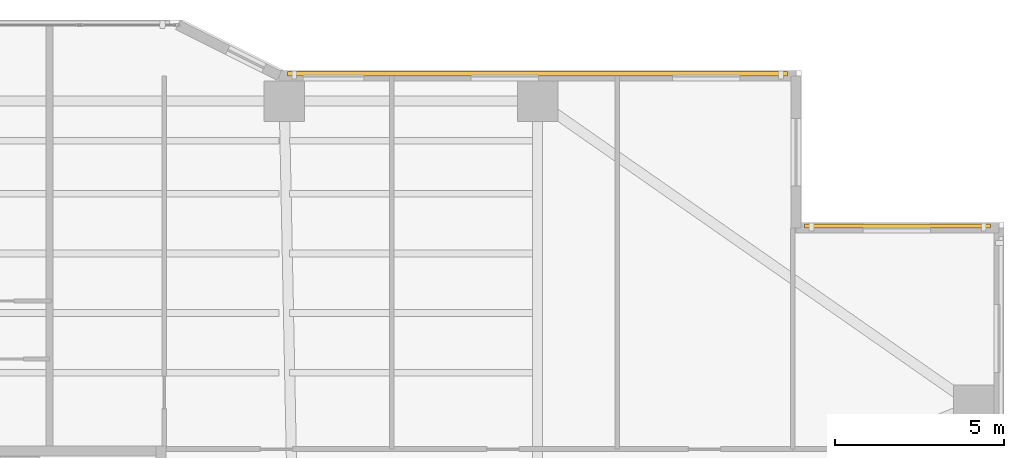
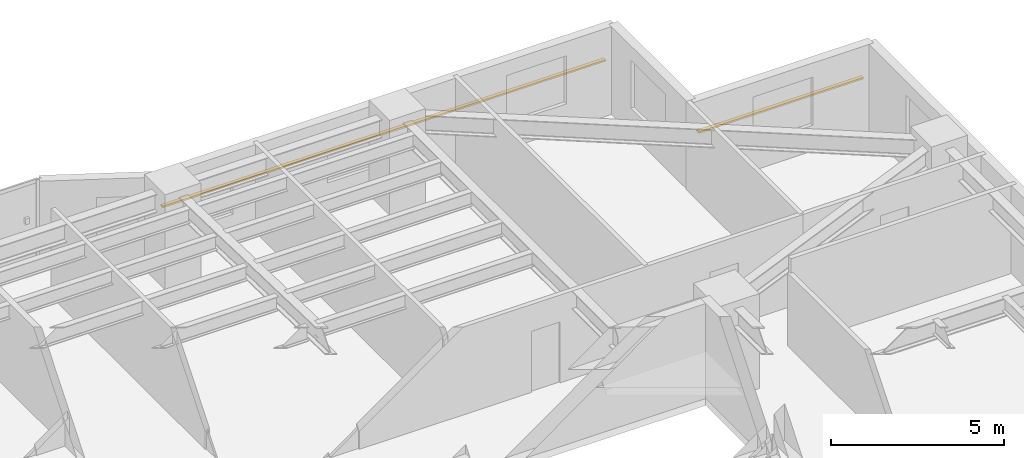
# One storey, part 21 of 21: 2 shading devices.
"""IFC4 building model written with IfcOpenShell, lengths in metres."""

import ifcopenshell
import ifcopenshell.guid

model = None  # the IFC model being written
_history = None  # IfcOwnerHistory: only IFC2X3 demands one
_inside = {}  # id of a spatial element -> (the spatial element, [elements in it])
_under = {}  # id of a project, library or spatial element -> (it, [spatial elements below it])
_declared = {}  # id of a project -> (the project, [libraries it declares])
_typed = {}  # id of a type object -> (the type object, [elements of that type])
_made_of = {}  # id of a material, layer set ... -> (it, [elements and type objects made of it])


def new_model(schema):
    """Start an empty IFC model of exactly this schema.

    Asked for "IFC4X3", IfcOpenShell would pick the latest addendum, in which some entities
    have other attributes; the version numbers below select the first issue.
    IFC2X3 requires an IfcOwnerHistory on every rooted entity: one is made here for all.
    """
    global model, _history
    if schema == "IFC4X3":
        model = ifcopenshell.file(schema_version=(4, 3, 0, 0))
    else:
        model = ifcopenshell.file(schema=schema)
    _inside.clear()
    _under.clear()
    _declared.clear()
    _typed.clear()
    _made_of.clear()
    _history = None
    if model.schema == "IFC2X3":
        org = make("IfcOrganization", Name="unknown")
        user = make(
            "IfcPersonAndOrganization",
            ThePerson=make("IfcPerson", FamilyName="unknown"),
            TheOrganization=org,
        )
        app = make(
            "IfcApplication",
            ApplicationDeveloper=org,
            Version="unknown",
            ApplicationFullName="unknown",
            ApplicationIdentifier="unknown",
        )
        _history = make(
            "IfcOwnerHistory",
            OwningUser=user,
            OwningApplication=app,
            ChangeAction="ADDED",
            CreationDate=0,
        )
    return model


def make(cls, **values):
    """One entity of the class cls with the attributes given. An attribute that is None is left unset."""
    return model.create_entity(
        cls, **{name: value for name, value in values.items() if value is not None}
    )


def rooted(cls, **values):
    """An entity with a GlobalId (a new one), such as an element, a storey or a relation."""
    return make(cls, GlobalId=ifcopenshell.guid.new(), OwnerHistory=_history, **values)


def si_unit(unit_type, name, prefix=None):
    """IfcSIUnit, for example si_unit("LENGTHUNIT", "METRE", prefix="MILLI")."""
    return make("IfcSIUnit", UnitType=unit_type, Prefix=prefix, Name=name)


def assignment(units):
    """IfcUnitAssignment: the units of a project."""
    return None if units is None else make("IfcUnitAssignment", Units=units)


def point(xyz):
    """IfcCartesianPoint."""
    return None if xyz is None else make("IfcCartesianPoint", Coordinates=xyz)


def direction(xyz):
    """IfcDirection."""
    return None if xyz is None else make("IfcDirection", DirectionRatios=xyz)


def frame(location, z_axis=None, x_axis=None):
    """IfcAxis2Placement3D, a coordinate frame: its origin and axes. An axis left out is left unset."""
    return make(
        "IfcAxis2Placement3D",
        Location=point(location),
        Axis=direction(z_axis),
        RefDirection=direction(x_axis),
    )


def frame_2d(location, x_axis=None):
    """IfcAxis2Placement2D, a coordinate frame in the plane: its origin and x axis."""
    return make(
        "IfcAxis2Placement2D", Location=point(location), RefDirection=direction(x_axis)
    )


def origin():
    """The frame at (0, 0, 0) with its axes left unset."""
    return frame((0.0, 0.0, 0.0))


def origin_2d():
    """The frame at (0, 0) in the plane with its x axis left unset."""
    return frame_2d((0.0, 0.0))


def place(relative_to, where):
    """IfcLocalPlacement: puts the frame where relative to a parent placement (None: the world)."""
    return make(
        "IfcLocalPlacement", PlacementRelTo=relative_to, RelativePlacement=where
    )


def context(
    kind, dimensions, precision=None, world=None, true_north=None, identifier=None
):
    """IfcGeometricRepresentationContext, for example the 3D "Model" context."""
    return make(
        "IfcGeometricRepresentationContext",
        ContextIdentifier=identifier,
        ContextType=kind,
        CoordinateSpaceDimension=dimensions,
        Precision=precision,
        WorldCoordinateSystem=world,
        TrueNorth=true_north,
    )


def subcontext(parent, identifier, kind, view, scale=None):
    """IfcGeometricRepresentationSubContext, for example "Body" below "Model"."""
    return make(
        "IfcGeometricRepresentationSubContext",
        ContextIdentifier=identifier,
        ContextType=kind,
        ParentContext=parent,
        TargetScale=scale,
        TargetView=view,
    )


def project(units=None, contexts=None):
    """IfcProject with its units and contexts."""
    return rooted(
        "IfcProject",
        Name="project",
        RepresentationContexts=contexts,
        UnitsInContext=assignment(units),
    )


def spatial(cls, under=None, at=None, **own):
    """A site, building, storey or space (cls), placed at a placement, below another one or the project."""
    s = rooted(cls, ObjectPlacement=at, **own)
    if under is not None:
        _under.setdefault(under.id(), (under, []))[1].append(s)
    return s


def profile(cls, at=None, kind="AREA", **sizes):
    """A parametric profile (cls). Its sizes go by their IFC names, for example OverallWidth=200.0."""
    return make(cls, ProfileType=kind, Position=at, **sizes)


def rectangle(**sizes):
    """IfcRectangleProfileDef."""
    return profile("IfcRectangleProfileDef", **sizes)


def extrude(swept, where, along, depth):
    """IfcExtrudedAreaSolid: the profile swept, set in the frame where, extruded along a direction by depth."""
    return make(
        "IfcExtrudedAreaSolid",
        SweptArea=swept,
        Position=where,
        ExtrudedDirection=direction(along),
        Depth=depth,
    )


def shape(context_of_items, identifier, shape_type, items):
    """IfcShapeRepresentation: the items that make up one representation, for example the "Body"."""
    return make(
        "IfcShapeRepresentation",
        ContextOfItems=context_of_items,
        RepresentationIdentifier=identifier,
        RepresentationType=shape_type,
        Items=items,
    )


def material(Name=None, Category=None):
    """IfcMaterial."""
    return make("IfcMaterial", Name=Name, Category=Category)


def material_profile(
    of_material, cross_section, Name=None, Category=None, Priority=None
):
    """IfcMaterialProfile: a cross section and its material."""
    return make(
        "IfcMaterialProfile",
        Name=Name,
        Material=of_material,
        Profile=cross_section,
        Priority=Priority,
        Category=Category,
    )


def profile_set(profiles, Name=None, composite=None):
    """IfcMaterialProfileSet."""
    return make(
        "IfcMaterialProfileSet",
        Name=Name,
        MaterialProfiles=profiles,
        CompositeProfile=composite,
    )


def made_of(thing, what):
    """Note that an element or type object is made of a material, layer set ...; save() writes the relation."""
    if what is not None:
        _made_of.setdefault(what.id(), (what, []))[1].append(thing)
    return thing


def type_object(cls, material=None, **own):
    """A type object (cls), such as IfcWallType, which elements share."""
    return made_of(rooted(cls, **own), material)


def element(
    cls,
    number,
    at=None,
    inside=None,
    cuts=None,
    type_object=None,
    material=None,
    context=None,
    identifier="Body",
    shape_type=None,
    held_by="IfcProductDefinitionShape",
    body=None,
    shapes=None,
    **own,
):
    """One element of the class cls, such as IfcWall. Its Tag is "e" and its number.

    at: its placement. inside: the storey or other place that contains it. cuts: it is an
    opening in that element (IfcRelVoidsElement). A single representation is given by context,
    identifier, shape_type and body (its items); several are given by shapes. held_by: the class
    of the entity that holds the representations. save() writes the other relations.
    """
    e = rooted(cls, Tag="e%d" % number, ObjectPlacement=at, **own)
    if body is not None:
        shapes = [shape(context, identifier, shape_type, body)]
    if shapes is not None:
        e.Representation = make(held_by, Representations=shapes)
    if inside is not None:
        _inside.setdefault(inside.id(), (inside, []))[1].append(e)
    if cuts is not None:
        rooted(
            "IfcRelVoidsElement", RelatingBuildingElement=cuts, RelatedOpeningElement=e
        )
    if type_object is not None:
        _typed.setdefault(type_object.id(), (type_object, []))[1].append(e)
    return made_of(e, material)


def aggregate(whole, parts):
    """IfcRelAggregates: a whole, such as a stair, and the parts it consists of."""
    return rooted("IfcRelAggregates", RelatingObject=whole, RelatedObjects=parts)


def save(model, path):
    """Write the relations noted so far, then the file.

    IfcRelAggregates (storeys below a building ...), IfcRelContainedInSpatialStructure (elements
    in a storey), IfcRelDefinesByType, IfcRelAssociatesMaterial and IfcRelDeclares: one each for
    every whole, place, type object, material and project.
    """
    for whole, parts in _under.values():
        aggregate(whole, parts)
    for where, things in _inside.values():
        rooted(
            "IfcRelContainedInSpatialStructure",
            RelatedElements=things,
            RelatingStructure=where,
        )
    for kind, things in _typed.values():
        rooted("IfcRelDefinesByType", RelatedObjects=things, RelatingType=kind)
    for what, things in _made_of.values():
        rooted("IfcRelAssociatesMaterial", RelatedObjects=things, RelatingMaterial=what)
    for by, libraries in _declared.values():
        rooted("IfcRelDeclares", RelatingContext=by, RelatedDefinitions=libraries)
    model.write(path)


model = new_model("IFC4")

# Units and contexts
model_context = context("Model", 3, precision=1e-05, world=origin(), true_north=direction((0.0, 1.0)))
body_context = subcontext(model_context, "Body", "Model", "MODEL_VIEW")
ifc_project = project(units=[si_unit("LENGTHUNIT", "METRE"), si_unit("AREAUNIT", "SQUARE_METRE"), si_unit("VOLUMEUNIT", "CUBIC_METRE"), si_unit("PLANEANGLEUNIT", "RADIAN"), si_unit("MASSUNIT", "GRAM", prefix="KILO")], contexts=[model_context])

# Site, building, storey
site_placement = place(None, origin())
site = spatial("IfcSite", under=ifc_project, at=site_placement, CompositionType="ELEMENT")
building_placement = place(site_placement, origin())
building = spatial("IfcBuilding", under=site, at=building_placement, Name="Tarnavaz Court Tower", CompositionType="ELEMENT")
storey_placement = place(building_placement, frame((0.0, 0.0, 37.39990234375)))
storey = spatial("IfcBuildingStorey", under=building, at=storey_placement, Name="L09", CompositionType="ELEMENT", Elevation=37.39990234375)

# Shading devices
ifc_material = material(Name="Kiln-Fired Khorasan Terracotta Ceramic", Category="masonry")
ifc_material_profile = material_profile(ifc_material, rectangle(XDim=0.1201171875, YDim=0.06005859375, at=origin_2d()), Name="TC BAGUETTE 120X60")
ifc_profile_set = profile_set([ifc_material_profile], Name="Kiln-Fired Khorasan Terracotta Ceramic")
shading_device_type = type_object("IfcShadingDeviceType", Name="SD-BAG-120", PredefinedType="USERDEFINED", material=ifc_profile_set)
shading_device_1_placement = place(storey_placement, frame((7.60009765625, 23.610107421875, 1.85009765625), z_axis=(1.0, 0.0, 0.0), x_axis=(0.0, 1.0, 0.0)))
element("IfcShadingDevice", 1, at=shading_device_1_placement, inside=storey, type_object=shading_device_type, Name="L09 Terracotta Baguette Screen FBG09", ObjectType="BAGUETTE", PredefinedType="USERDEFINED", context=body_context, shape_type="SweptSolid", body=[
    extrude(rectangle(XDim=0.1201171875, YDim=0.06005859375, at=origin_2d()), origin(), (0.0, 0.0, 1.0), 14.7998046875),
])
shading_device_2_placement = place(storey_placement, frame((22.89990234375, 19.110107421875, 1.85009765625), z_axis=(1.0, 0.0, 0.0), x_axis=(0.0, 1.0, 0.0)))
element("IfcShadingDevice", 2, at=shading_device_2_placement, inside=storey, type_object=shading_device_type, Name="L09 Terracotta Baguette Screen FBG11", ObjectType="BAGUETTE", PredefinedType="USERDEFINED", context=body_context, shape_type="SweptSolid", body=[
    extrude(rectangle(XDim=0.1201171875, YDim=0.06005859375, at=origin_2d()), origin(), (0.0, 0.0, 1.0), 5.5),
])

save(model, "model.ifc")
